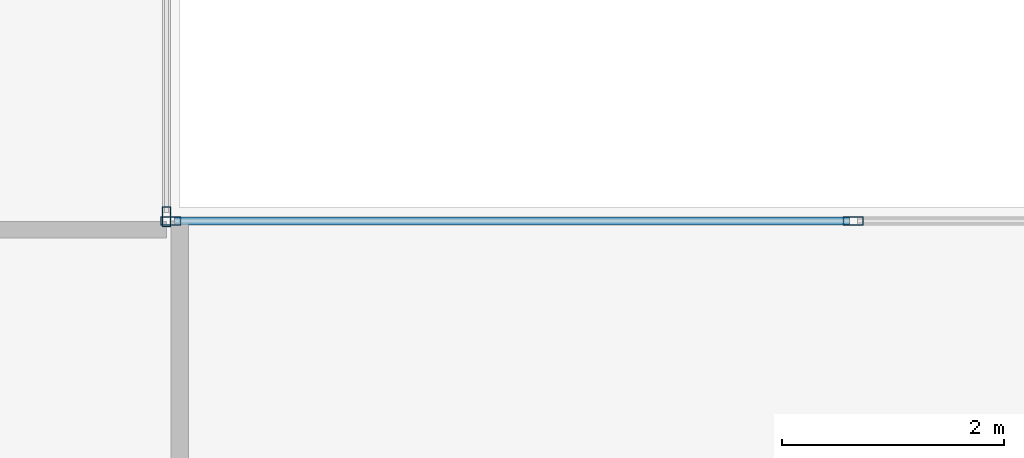
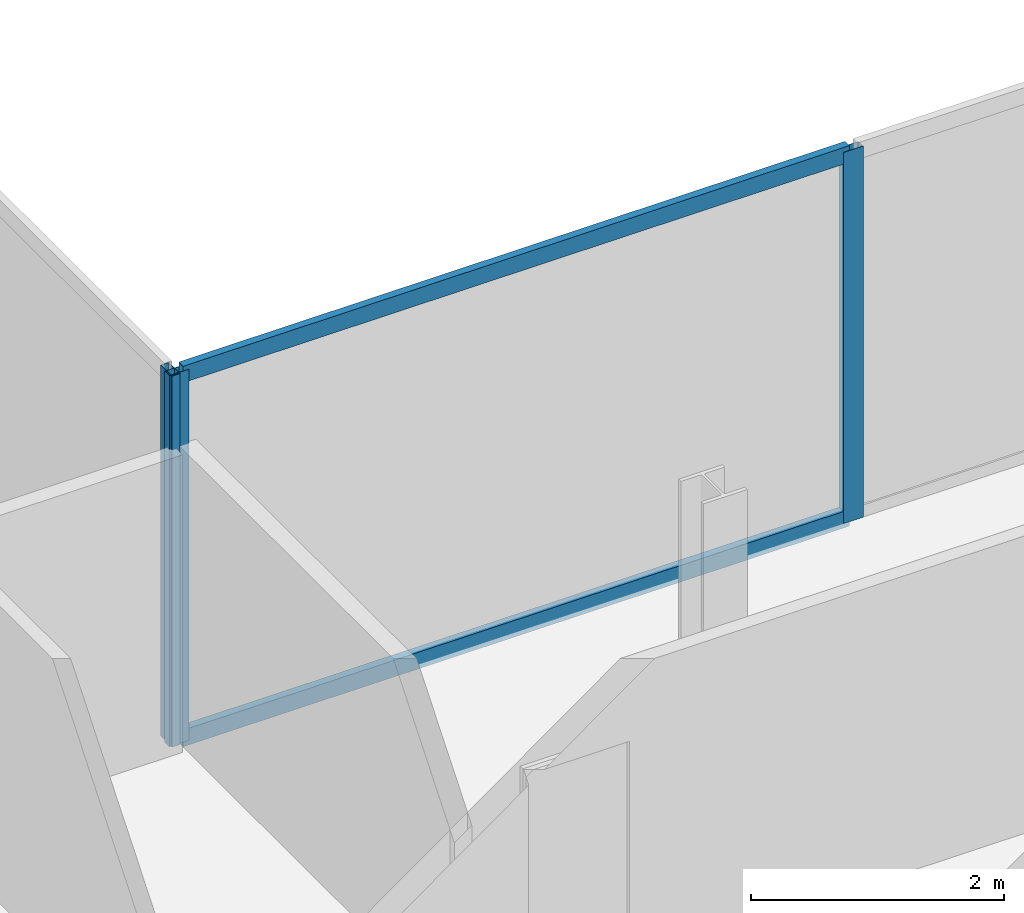
# One storey, part 7 of 23: 5 members, 2 elements without a shape of their own.
"""IFC4 building model written with IfcOpenShell, lengths in metres."""

from ifc_helpers import new_model, si_unit, direction, frame, origin, origin_2d, place, context, subcontext, project, spatial, hollow_rectangle, extrude, material, material_profile, profile_set, type_object, element, aggregate, save


model = new_model("IFC4")

# Units and contexts
model_context = context("Model", 3, precision=1e-05, world=origin(), true_north=direction((0.0, 1.0)))
body_context = subcontext(model_context, "Body", "Model", "MODEL_VIEW")
ifc_project = project(units=[si_unit("LENGTHUNIT", "METRE"), si_unit("AREAUNIT", "SQUARE_METRE"), si_unit("VOLUMEUNIT", "CUBIC_METRE"), si_unit("PLANEANGLEUNIT", "RADIAN"), si_unit("MASSUNIT", "GRAM", prefix="KILO")], contexts=[model_context])

# Site, building, storey
site_placement = place(None, origin())
site = spatial("IfcSite", under=ifc_project, at=site_placement, CompositionType="ELEMENT")
building_placement = place(site_placement, origin())
building = spatial("IfcBuilding", under=site, at=building_placement, Name="Cobrela Telecom Tower", CompositionType="ELEMENT")
storey_placement = place(building_placement, frame((0.0, 0.0, 156.10009765625)))
storey = spatial("IfcBuildingStorey", under=building, at=storey_placement, Name="L39", CompositionType="ELEMENT", Elevation=156.10009765625)

# Curtain wall, member
ifc_material = material(Name="Anodized Bronze Aluminium 6063-T6", Category="aluminium")
curtain_wall_type = type_object("IfcCurtainWallType", Name="CW-SYS-TEL", PredefinedType="USERDEFINED", material=ifc_material)
curtain_wall_1_placement = place(storey_placement, origin())
curtain_wall_1 = element("IfcCurtainWall", 1, at=curtain_wall_1_placement, inside=storey, type_object=curtain_wall_type, Name="L39 Unitised Bronze Curtain Wall 10", ObjectType="UNITISED CURTAIN WALL", PredefinedType="USERDEFINED")
ifc_material_profile_1 = material_profile(ifc_material, hollow_rectangle(XDim=0.074951171875, YDim=0.179931640625, WallThickness=0.00390625, at=origin_2d()), Name="ALU 75x180x4")
ifc_profile_set_1 = profile_set([ifc_material_profile_1], Name="Anodized Bronze Aluminium 6063-T6")
member_type_1 = type_object("IfcMemberType", Name="CW-SYS-TEL-MUL", PredefinedType="MULLION", material=ifc_profile_set_1)
member_1_placement = place(storey_placement, frame((25.8798828125, 25.117431640625, 0.0), z_axis=(0.0, 0.0, 1.0), x_axis=(1.0, 0.0, 0.0)))
member_1 = element("IfcMember", 2, at=member_1_placement, type_object=member_type_1, Name="CW-TEL mullion 3", PredefinedType="MULLION", context=body_context, shape_type="SweptSolid", body=[
    extrude(hollow_rectangle(XDim=0.074951171875, YDim=0.179931640625, WallThickness=0.00390625, at=origin_2d()), origin(), (0.0, 0.0, 1.0), 3.579833984375),
])
aggregate(curtain_wall_1, [member_1])

# Curtain wall, members
curtain_wall_2_placement = place(storey_placement, origin())
curtain_wall_2 = element("IfcCurtainWall", 3, at=curtain_wall_2_placement, inside=storey, type_object=curtain_wall_type, Name="L39 Unitised Bronze Curtain Wall 11", ObjectType="UNITISED CURTAIN WALL", PredefinedType="USERDEFINED")
member_2_placement = place(storey_placement, frame((25.91748046875, 25.080078125, 0.0), z_axis=(0.0, 0.0, 1.0), x_axis=(0.0, 1.0, 0.0)))
member_2 = element("IfcMember", 4, at=member_2_placement, type_object=member_type_1, Name="CW-TEL mullion 1", PredefinedType="MULLION", context=body_context, shape_type="SweptSolid", body=[
    extrude(hollow_rectangle(XDim=0.074951171875, YDim=0.179931640625, WallThickness=0.00390625, at=origin_2d()), origin(), (0.0, 0.0, 1.0), 3.579833984375),
])
member_3_placement = place(storey_placement, frame((32.070068359375, 25.080078125, 0.0), z_axis=(0.0, 0.0, 1.0), x_axis=(0.0, 1.0, 0.0)))
member_3 = element("IfcMember", 5, at=member_3_placement, type_object=member_type_1, Name="CW-TEL mullion 2", PredefinedType="MULLION", context=body_context, shape_type="SweptSolid", body=[
    extrude(hollow_rectangle(XDim=0.074951171875, YDim=0.179931640625, WallThickness=0.00390625, at=origin_2d()), origin(), (0.0, 0.0, 1.0), 3.579833984375),
])
ifc_material_profile_2 = material_profile(ifc_material, hollow_rectangle(XDim=0.070068359375, YDim=0.159912109375, WallThickness=0.00390625, at=origin_2d()), Name="ALU 70x160x4")
ifc_profile_set_2 = profile_set([ifc_material_profile_2], Name="Anodized Bronze Aluminium 6063-T6")
member_type_2 = type_object("IfcMemberType", Name="CW-SYS-TEL-TRN", PredefinedType="USERDEFINED", material=ifc_profile_set_2)
member_4_placement = place(storey_placement, frame((25.955078125, 25.080078125, 0.034912109375), z_axis=(1.0, 0.0, 0.0), x_axis=(0.0, 1.0, 0.0)))
member_4 = element("IfcMember", 6, at=member_4_placement, type_object=member_type_2, Name="CW-TEL transom 1.1", ObjectType="TRANSOM", PredefinedType="USERDEFINED", context=body_context, shape_type="SweptSolid", body=[
    extrude(hollow_rectangle(XDim=0.070068359375, YDim=0.159912109375, WallThickness=0.00390625, at=origin_2d()), origin(), (0.0, 0.0, 1.0), 6.077392578125),
])
member_5_placement = place(storey_placement, frame((25.955078125, 25.080078125, 3.544921875), z_axis=(1.0, 0.0, 0.0), x_axis=(0.0, 1.0, 0.0)))
member_5 = element("IfcMember", 7, at=member_5_placement, type_object=member_type_2, Name="CW-TEL transom 1.2", ObjectType="TRANSOM", PredefinedType="USERDEFINED", context=body_context, shape_type="SweptSolid", body=[
    extrude(hollow_rectangle(XDim=0.070068359375, YDim=0.159912109375, WallThickness=0.00390625, at=origin_2d()), origin(), (0.0, 0.0, 1.0), 6.077392578125),
])
aggregate(curtain_wall_2, [member_2, member_3, member_4, member_5])

save(model, "model.ifc")
